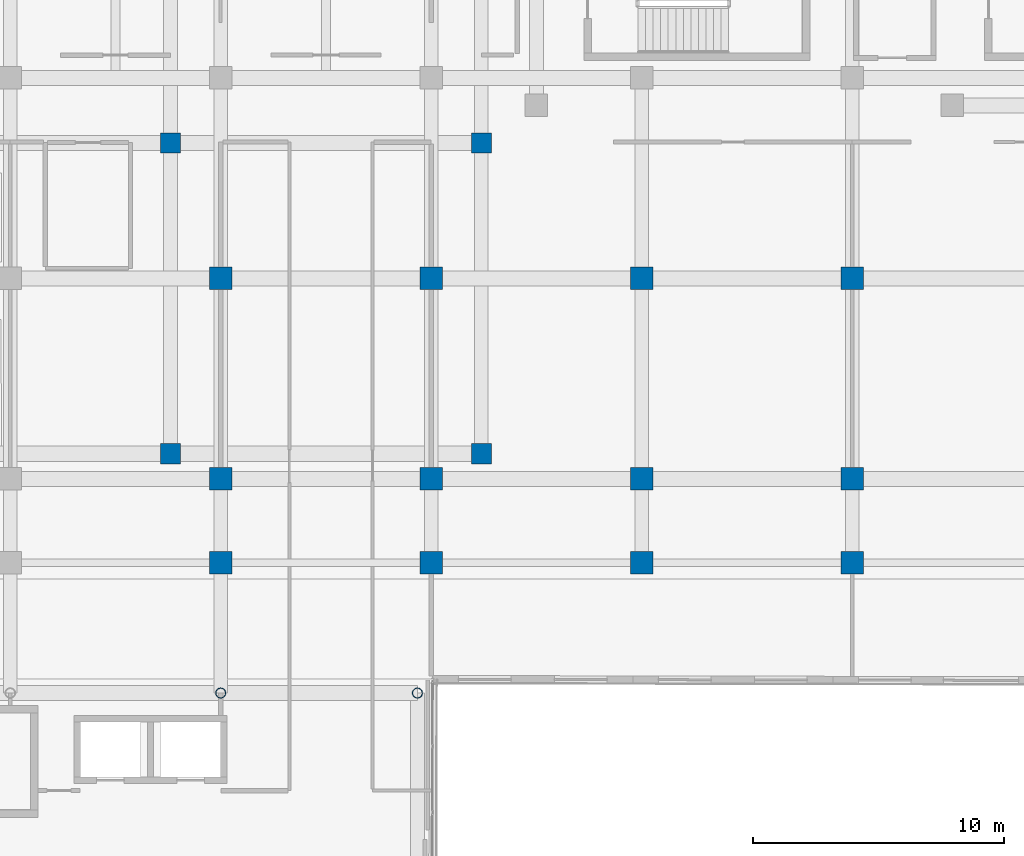
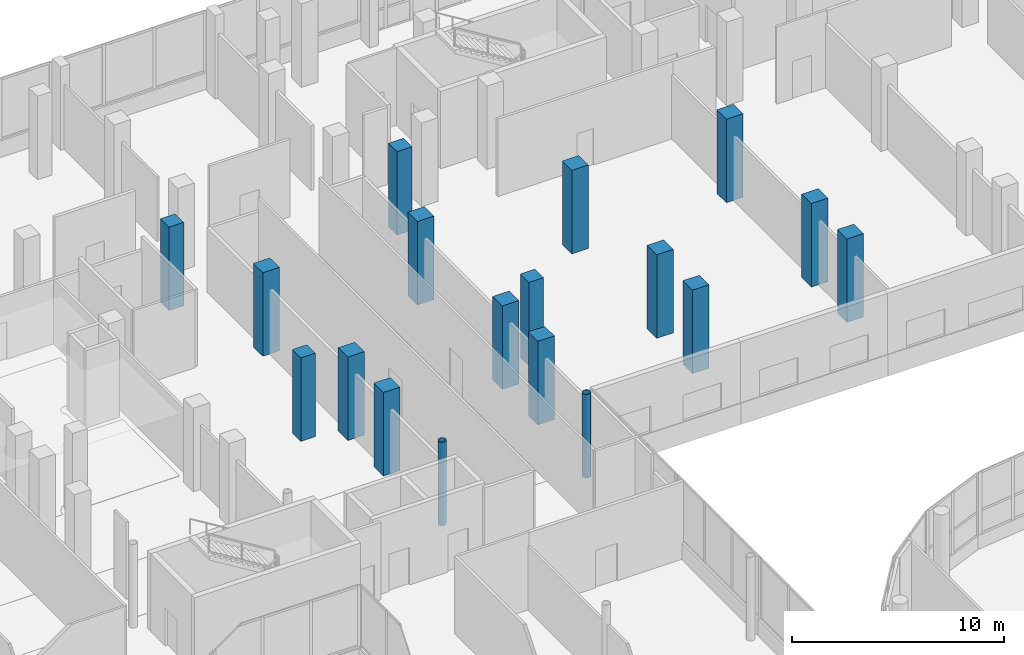
# One storey, part 10 of 168: 18 columns.
"""IFC4 building model written with IfcOpenShell, lengths in metres."""

from ifc_helpers import new_model, si_unit, direction, frame, origin, origin_2d, place, context, subcontext, project, spatial, rectangle, hollow_circle, extrude, material, material_profile, profile_set, type_object, element, save


model = new_model("IFC4")

# Units and contexts
model_context = context("Model", 3, precision=1e-05, world=origin(), true_north=direction((0.0, 1.0)))
body_context = subcontext(model_context, "Body", "Model", "MODEL_VIEW")
ifc_project = project(units=[si_unit("LENGTHUNIT", "METRE"), si_unit("AREAUNIT", "SQUARE_METRE"), si_unit("VOLUMEUNIT", "CUBIC_METRE"), si_unit("PLANEANGLEUNIT", "RADIAN"), si_unit("MASSUNIT", "GRAM", prefix="KILO")], contexts=[model_context])

# Site, building, storey
site_placement = place(None, origin())
site = spatial("IfcSite", under=ifc_project, at=site_placement, CompositionType="ELEMENT")
building_placement = place(site_placement, origin())
building = spatial("IfcBuilding", under=site, at=building_placement, Name="Selatvlak General Hospital", CompositionType="ELEMENT")
storey_placement = place(building_placement, frame((0.0, 0.0, 5.39990234375)))
storey = spatial("IfcBuildingStorey", under=building, at=storey_placement, Name="L01", CompositionType="ELEMENT", Elevation=5.39990234375)

# Columns
ifc_material_1 = material(Name="Steel S355", Category="steel")
ifc_material_profile_1 = material_profile(ifc_material_1, hollow_circle(Radius=0.203125, WallThickness=0.01611328125, at=origin_2d()), Name="CHS 406.4x16")
ifc_profile_set_1 = profile_set([ifc_material_profile_1], Name="Steel S355")
column_type_1 = type_object("IfcColumnType", Name="COL-CHS406", PredefinedType="COLUMN", material=ifc_profile_set_1)
for number, where, z_axis, x_axis, name in (
    (1, (73.199951171875, 83.449951171875, 0.0), (0.0, 0.0, 1.0), (1.0, 0.0, 0.0), "Column 021 on L01"),
    (2, (81.050048828125, 83.449951171875, 0.0), (0.0, 0.0, 1.0), (1.0, 0.0, 0.0), "Column 024 on L01"),
):
    element("IfcColumn", number, at=place(storey_placement, frame(where, z_axis=z_axis, x_axis=x_axis)), inside=storey, type_object=column_type_1, Name=name, PredefinedType="COLUMN", context=body_context, shape_type="SweptSolid", body=[
        extrude(hollow_circle(Radius=0.203125, WallThickness=0.01611328125, at=origin_2d()), origin(), (0.0, 0.0, 1.0), 4.800048828125),
    ])
ifc_material_2 = material(Name="Concrete C50/60", Category="concrete")
ifc_material_profile_2 = material_profile(ifc_material_2, rectangle(XDim=0.800048828125, YDim=0.800048828125, at=origin_2d()), Name="RC-COL 800x800")
ifc_profile_set_2 = profile_set([ifc_material_profile_2], Name="Concrete C50/60")
column_type_2 = type_object("IfcColumnType", Name="COL-RC80", PredefinedType="COLUMN", material=ifc_profile_set_2)
for number, where, z_axis, x_axis, name in (
    (3, (71.199951171875, 93.0, 0.0), (0.0, 0.0, 1.0), (1.0, 0.0, 0.0), "Column 040 on L01"),
    (4, (71.199951171875, 105.39990234375, 0.0), (0.0, 0.0, 1.0), (1.0, 0.0, 0.0), "Column 041 on L01"),
    (5, (83.60009765625, 93.0, 0.0), (0.0, 0.0, 1.0), (1.0, 0.0, 0.0), "Column 043 on L01"),
    (6, (83.60009765625, 105.39990234375, 0.0), (0.0, 0.0, 1.0), (1.0, 0.0, 0.0), "Column 044 on L01"),
):
    element("IfcColumn", number, at=place(storey_placement, frame(where, z_axis=z_axis, x_axis=x_axis)), inside=storey, type_object=column_type_2, Name=name, PredefinedType="COLUMN", context=body_context, shape_type="SweptSolid", body=[
        extrude(rectangle(XDim=0.800048828125, YDim=0.800048828125, at=origin_2d()), origin(), (0.0, 0.0, 1.0), 4.800048828125),
    ])
ifc_material_profile_3 = material_profile(ifc_material_2, rectangle(XDim=0.89990234375, YDim=0.89990234375, at=origin_2d()), Name="RC-COL 900x900")
ifc_profile_set_3 = profile_set([ifc_material_profile_3], Name="Concrete C50/60")
column_type_3 = type_object("IfcColumnType", Name="COL-RC90", PredefinedType="COLUMN", material=ifc_profile_set_3)
for number, where, z_axis, x_axis, name in (
    (7, (73.199951171875, 88.64990234375, 0.0), (0.0, 0.0, 1.0), (1.0, 0.0, 0.0), "Column 192 on L01"),
    (8, (73.199951171875, 92.0, 0.0), (0.0, 0.0, 1.0), (1.0, 0.0, 0.0), "Column 193 on L01"),
    (9, (73.199951171875, 100.0, 0.0), (0.0, 0.0, 1.0), (1.0, 0.0, 0.0), "Column 194 on L01"),
    (10, (81.60009765625, 88.64990234375, 0.0), (0.0, 0.0, 1.0), (1.0, 0.0, 0.0), "Column 201 on L01"),
    (11, (81.60009765625, 92.0, 0.0), (0.0, 0.0, 1.0), (1.0, 0.0, 0.0), "Column 202 on L01"),
    (12, (81.60009765625, 100.0, 0.0), (0.0, 0.0, 1.0), (1.0, 0.0, 0.0), "Column 203 on L01"),
    (13, (90.0, 88.64990234375, 0.0), (0.0, 0.0, 1.0), (1.0, 0.0, 0.0), "Column 210 on L01"),
    (14, (90.0, 92.0, 0.0), (0.0, 0.0, 1.0), (1.0, 0.0, 0.0), "Column 211 on L01"),
    (15, (90.0, 100.0, 0.0), (0.0, 0.0, 1.0), (1.0, 0.0, 0.0), "Column 212 on L01"),
    (16, (98.39990234375, 88.64990234375, 0.0), (0.0, 0.0, 1.0), (1.0, 0.0, 0.0), "Column 218 on L01"),
    (17, (98.39990234375, 92.0, 0.0), (0.0, 0.0, 1.0), (1.0, 0.0, 0.0), "Column 219 on L01"),
    (18, (98.39990234375, 100.0, 0.0), (0.0, 0.0, 1.0), (1.0, 0.0, 0.0), "Column 220 on L01"),
):
    element("IfcColumn", number, at=place(storey_placement, frame(where, z_axis=z_axis, x_axis=x_axis)), inside=storey, type_object=column_type_3, Name=name, PredefinedType="COLUMN", context=body_context, shape_type="SweptSolid", body=[
        extrude(rectangle(XDim=0.89990234375, YDim=0.89990234375, at=origin_2d()), origin(), (0.0, 0.0, 1.0), 4.800048828125),
    ])

save(model, "model.ifc")
